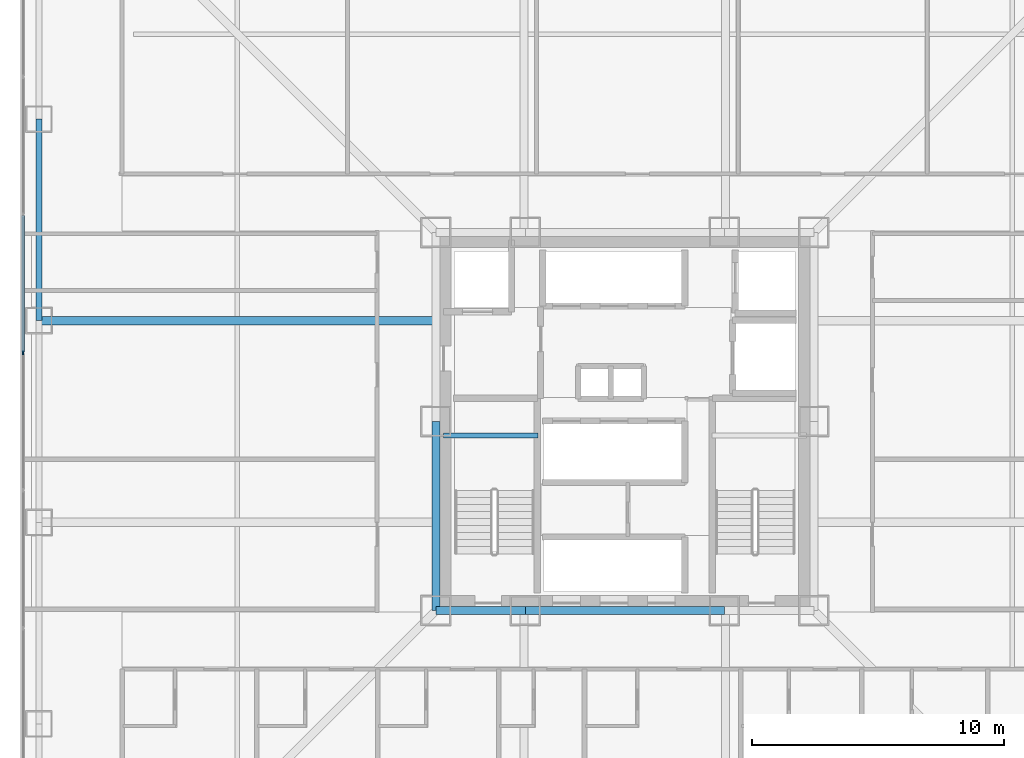
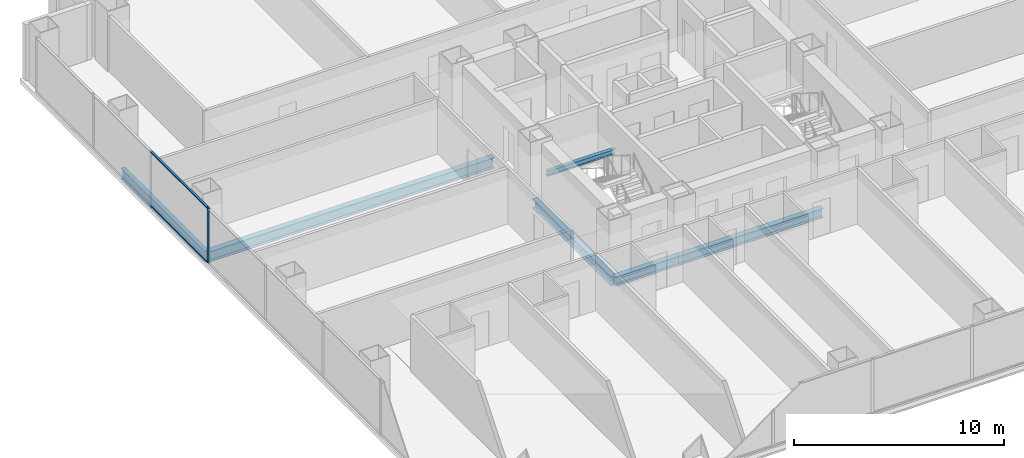
# One storey, part 6 of 20: 6 beams, 3 members, 1 element without a shape of its own.
"""IFC4 building model written with IfcOpenShell, lengths in metres."""

import ifcopenshell
import ifcopenshell.guid

model = None  # the IFC model being written
_history = None  # IfcOwnerHistory: only IFC2X3 demands one
_inside = {}  # id of a spatial element -> (the spatial element, [elements in it])
_under = {}  # id of a project, library or spatial element -> (it, [spatial elements below it])
_declared = {}  # id of a project -> (the project, [libraries it declares])
_typed = {}  # id of a type object -> (the type object, [elements of that type])
_made_of = {}  # id of a material, layer set ... -> (it, [elements and type objects made of it])


def new_model(schema):
    """Start an empty IFC model of exactly this schema.

    Asked for "IFC4X3", IfcOpenShell would pick the latest addendum, in which some entities
    have other attributes; the version numbers below select the first issue.
    IFC2X3 requires an IfcOwnerHistory on every rooted entity: one is made here for all.
    """
    global model, _history
    if schema == "IFC4X3":
        model = ifcopenshell.file(schema_version=(4, 3, 0, 0))
    else:
        model = ifcopenshell.file(schema=schema)
    _inside.clear()
    _under.clear()
    _declared.clear()
    _typed.clear()
    _made_of.clear()
    _history = None
    if model.schema == "IFC2X3":
        org = make("IfcOrganization", Name="unknown")
        user = make(
            "IfcPersonAndOrganization",
            ThePerson=make("IfcPerson", FamilyName="unknown"),
            TheOrganization=org,
        )
        app = make(
            "IfcApplication",
            ApplicationDeveloper=org,
            Version="unknown",
            ApplicationFullName="unknown",
            ApplicationIdentifier="unknown",
        )
        _history = make(
            "IfcOwnerHistory",
            OwningUser=user,
            OwningApplication=app,
            ChangeAction="ADDED",
            CreationDate=0,
        )
    return model


def make(cls, **values):
    """One entity of the class cls with the attributes given. An attribute that is None is left unset."""
    return model.create_entity(
        cls, **{name: value for name, value in values.items() if value is not None}
    )


def rooted(cls, **values):
    """An entity with a GlobalId (a new one), such as an element, a storey or a relation."""
    return make(cls, GlobalId=ifcopenshell.guid.new(), OwnerHistory=_history, **values)


def si_unit(unit_type, name, prefix=None):
    """IfcSIUnit, for example si_unit("LENGTHUNIT", "METRE", prefix="MILLI")."""
    return make("IfcSIUnit", UnitType=unit_type, Prefix=prefix, Name=name)


def assignment(units):
    """IfcUnitAssignment: the units of a project."""
    return None if units is None else make("IfcUnitAssignment", Units=units)


def point(xyz):
    """IfcCartesianPoint."""
    return None if xyz is None else make("IfcCartesianPoint", Coordinates=xyz)


def direction(xyz):
    """IfcDirection."""
    return None if xyz is None else make("IfcDirection", DirectionRatios=xyz)


def frame(location, z_axis=None, x_axis=None):
    """IfcAxis2Placement3D, a coordinate frame: its origin and axes. An axis left out is left unset."""
    return make(
        "IfcAxis2Placement3D",
        Location=point(location),
        Axis=direction(z_axis),
        RefDirection=direction(x_axis),
    )


def frame_2d(location, x_axis=None):
    """IfcAxis2Placement2D, a coordinate frame in the plane: its origin and x axis."""
    return make(
        "IfcAxis2Placement2D", Location=point(location), RefDirection=direction(x_axis)
    )


def origin():
    """The frame at (0, 0, 0) with its axes left unset."""
    return frame((0.0, 0.0, 0.0))


def origin_2d():
    """The frame at (0, 0) in the plane with its x axis left unset."""
    return frame_2d((0.0, 0.0))


def place(relative_to, where):
    """IfcLocalPlacement: puts the frame where relative to a parent placement (None: the world)."""
    return make(
        "IfcLocalPlacement", PlacementRelTo=relative_to, RelativePlacement=where
    )


def context(
    kind, dimensions, precision=None, world=None, true_north=None, identifier=None
):
    """IfcGeometricRepresentationContext, for example the 3D "Model" context."""
    return make(
        "IfcGeometricRepresentationContext",
        ContextIdentifier=identifier,
        ContextType=kind,
        CoordinateSpaceDimension=dimensions,
        Precision=precision,
        WorldCoordinateSystem=world,
        TrueNorth=true_north,
    )


def subcontext(parent, identifier, kind, view, scale=None):
    """IfcGeometricRepresentationSubContext, for example "Body" below "Model"."""
    return make(
        "IfcGeometricRepresentationSubContext",
        ContextIdentifier=identifier,
        ContextType=kind,
        ParentContext=parent,
        TargetScale=scale,
        TargetView=view,
    )


def project(units=None, contexts=None):
    """IfcProject with its units and contexts."""
    return rooted(
        "IfcProject",
        Name="project",
        RepresentationContexts=contexts,
        UnitsInContext=assignment(units),
    )


def spatial(cls, under=None, at=None, **own):
    """A site, building, storey or space (cls), placed at a placement, below another one or the project."""
    s = rooted(cls, ObjectPlacement=at, **own)
    if under is not None:
        _under.setdefault(under.id(), (under, []))[1].append(s)
    return s


def profile(cls, at=None, kind="AREA", **sizes):
    """A parametric profile (cls). Its sizes go by their IFC names, for example OverallWidth=200.0."""
    return make(cls, ProfileType=kind, Position=at, **sizes)


def rectangle(**sizes):
    """IfcRectangleProfileDef."""
    return profile("IfcRectangleProfileDef", **sizes)


def i_section(**sizes):
    """IfcIShapeProfileDef."""
    return profile("IfcIShapeProfileDef", **sizes)


def extrude(swept, where, along, depth):
    """IfcExtrudedAreaSolid: the profile swept, set in the frame where, extruded along a direction by depth."""
    return make(
        "IfcExtrudedAreaSolid",
        SweptArea=swept,
        Position=where,
        ExtrudedDirection=direction(along),
        Depth=depth,
    )


def shape(context_of_items, identifier, shape_type, items):
    """IfcShapeRepresentation: the items that make up one representation, for example the "Body"."""
    return make(
        "IfcShapeRepresentation",
        ContextOfItems=context_of_items,
        RepresentationIdentifier=identifier,
        RepresentationType=shape_type,
        Items=items,
    )


def material(Name=None, Category=None):
    """IfcMaterial."""
    return make("IfcMaterial", Name=Name, Category=Category)


def layer(
    of_material, thickness, ventilated=None, Name=None, Category=None, Priority=None
):
    """IfcMaterialLayer: one layer of a wall or slab, of a material (None: an air gap)."""
    return make(
        "IfcMaterialLayer",
        Material=of_material,
        LayerThickness=thickness,
        IsVentilated=ventilated,
        Name=Name,
        Category=Category,
        Priority=Priority,
    )


def layer_set(layers, Name=None):
    """IfcMaterialLayerSet."""
    return make("IfcMaterialLayerSet", MaterialLayers=layers, LayerSetName=Name)


def material_profile(
    of_material, cross_section, Name=None, Category=None, Priority=None
):
    """IfcMaterialProfile: a cross section and its material."""
    return make(
        "IfcMaterialProfile",
        Name=Name,
        Material=of_material,
        Profile=cross_section,
        Priority=Priority,
        Category=Category,
    )


def profile_set(profiles, Name=None, composite=None):
    """IfcMaterialProfileSet."""
    return make(
        "IfcMaterialProfileSet",
        Name=Name,
        MaterialProfiles=profiles,
        CompositeProfile=composite,
    )


def made_of(thing, what):
    """Note that an element or type object is made of a material, layer set ...; save() writes the relation."""
    if what is not None:
        _made_of.setdefault(what.id(), (what, []))[1].append(thing)
    return thing


def type_object(cls, material=None, **own):
    """A type object (cls), such as IfcWallType, which elements share."""
    return made_of(rooted(cls, **own), material)


def element(
    cls,
    number,
    at=None,
    inside=None,
    cuts=None,
    type_object=None,
    material=None,
    context=None,
    identifier="Body",
    shape_type=None,
    held_by="IfcProductDefinitionShape",
    body=None,
    shapes=None,
    **own,
):
    """One element of the class cls, such as IfcWall. Its Tag is "e" and its number.

    at: its placement. inside: the storey or other place that contains it. cuts: it is an
    opening in that element (IfcRelVoidsElement). A single representation is given by context,
    identifier, shape_type and body (its items); several are given by shapes. held_by: the class
    of the entity that holds the representations. save() writes the other relations.
    """
    e = rooted(cls, Tag="e%d" % number, ObjectPlacement=at, **own)
    if body is not None:
        shapes = [shape(context, identifier, shape_type, body)]
    if shapes is not None:
        e.Representation = make(held_by, Representations=shapes)
    if inside is not None:
        _inside.setdefault(inside.id(), (inside, []))[1].append(e)
    if cuts is not None:
        rooted(
            "IfcRelVoidsElement", RelatingBuildingElement=cuts, RelatedOpeningElement=e
        )
    if type_object is not None:
        _typed.setdefault(type_object.id(), (type_object, []))[1].append(e)
    return made_of(e, material)


def aggregate(whole, parts):
    """IfcRelAggregates: a whole, such as a stair, and the parts it consists of."""
    return rooted("IfcRelAggregates", RelatingObject=whole, RelatedObjects=parts)


def save(model, path):
    """Write the relations noted so far, then the file.

    IfcRelAggregates (storeys below a building ...), IfcRelContainedInSpatialStructure (elements
    in a storey), IfcRelDefinesByType, IfcRelAssociatesMaterial and IfcRelDeclares: one each for
    every whole, place, type object, material and project.
    """
    for whole, parts in _under.values():
        aggregate(whole, parts)
    for where, things in _inside.values():
        rooted(
            "IfcRelContainedInSpatialStructure",
            RelatedElements=things,
            RelatingStructure=where,
        )
    for kind, things in _typed.values():
        rooted("IfcRelDefinesByType", RelatedObjects=things, RelatingType=kind)
    for what, things in _made_of.values():
        rooted("IfcRelAssociatesMaterial", RelatedObjects=things, RelatingMaterial=what)
    for by, libraries in _declared.values():
        rooted("IfcRelDeclares", RelatingContext=by, RelatedDefinitions=libraries)
    model.write(path)


model = new_model("IFC4")

# Units and contexts
model_context = context("Model", 3, precision=1e-05, world=origin(), true_north=direction((0.0, 1.0)))
body_context = subcontext(model_context, "Body", "Model", "MODEL_VIEW")
ifc_project = project(units=[si_unit("LENGTHUNIT", "METRE"), si_unit("AREAUNIT", "SQUARE_METRE"), si_unit("VOLUMEUNIT", "CUBIC_METRE"), si_unit("PLANEANGLEUNIT", "RADIAN"), si_unit("MASSUNIT", "GRAM", prefix="KILO")], contexts=[model_context])

# Site, building, storey
site_placement = place(None, origin())
site = spatial("IfcSite", under=ifc_project, at=site_placement, CompositionType="ELEMENT")
building_placement = place(site_placement, origin())
building = spatial("IfcBuilding", under=site, at=building_placement, Name="Trevonay Congress Spire", CompositionType="ELEMENT")
storey_placement = place(building_placement, frame((0.0, 0.0, 62.0)))
storey = spatial("IfcBuildingStorey", under=building, at=storey_placement, Name="L15", CompositionType="ELEMENT", Elevation=62.0)

# Beams
ifc_material_1 = material(Name="Steel ASTM A572 Grade 50", Category="steel")
ifc_material_profile_1 = material_profile(ifc_material_1, i_section(OverallWidth=0.31201171875, OverallDepth=0.54296875, WebThickness=0.0126953125, FlangeThickness=0.020263671875, FilletRadius=0.014892578125, at=origin_2d()), Name="W530x150")
ifc_profile_set_1 = profile_set([ifc_material_profile_1], Name="Steel ASTM A572 Grade 50")
beam_type_1 = type_object("IfcBeamType", Name="BM-GIRD-W530X150", PredefinedType="BEAM", material=ifc_profile_set_1)
beam_1_placement = place(storey_placement, frame((-7.5, -7.5, -0.521484375), z_axis=(1.0, 0.0, 0.0), x_axis=(0.0, 1.0, 0.0)))
element("IfcBeam", 1, at=beam_1_placement, inside=storey, type_object=beam_type_1, Name="L15 structural beam BM-L15-CR-S1", PredefinedType="BEAM", context=body_context, shape_type="SweptSolid", body=[
    extrude(i_section(OverallWidth=0.31201171875, OverallDepth=0.54296875, WebThickness=0.0126953125, FlangeThickness=0.020263671875, FilletRadius=0.014892578125, at=origin_2d()), origin(), (0.0, 0.0, 1.0), 3.550048828125),
])
beam_2_placement = place(storey_placement, frame((-3.949951171875, -7.5, -0.521484375), z_axis=(1.0, 0.0, 0.0), x_axis=(0.0, 1.0, 0.0)))
element("IfcBeam", 2, at=beam_2_placement, inside=storey, type_object=beam_type_1, Name="L15 structural beam BM-L15-CR-S2", PredefinedType="BEAM", context=body_context, shape_type="SweptSolid", body=[
    extrude(i_section(OverallWidth=0.31201171875, OverallDepth=0.54296875, WebThickness=0.0126953125, FlangeThickness=0.020263671875, FilletRadius=0.014892578125, at=origin_2d()), origin(), (0.0, 0.0, 1.0), 7.89990234375),
])
beam_3_placement = place(storey_placement, frame((-7.5, -7.5, -0.521484375), z_axis=(0.0, 1.0, 0.0), x_axis=(-1.0, 0.0, 0.0)))
element("IfcBeam", 3, at=beam_3_placement, inside=storey, type_object=beam_type_1, Name="L15 structural beam BM-L15-CR-W1", PredefinedType="BEAM", context=body_context, shape_type="SweptSolid", body=[
    extrude(i_section(OverallWidth=0.31201171875, OverallDepth=0.54296875, WebThickness=0.0126953125, FlangeThickness=0.020263671875, FilletRadius=0.014892578125, at=origin_2d()), origin(), (0.0, 0.0, 1.0), 7.5),
])
ifc_material_profile_2 = material_profile(ifc_material_1, i_section(OverallWidth=0.324951171875, OverallDepth=0.615966796875, WebThickness=0.013916015625, FlangeThickness=0.021484375, FilletRadius=0.01806640625, at=origin_2d()), Name="W610x174")
ifc_profile_set_2 = profile_set([ifc_material_profile_2], Name="Steel ASTM A572 Grade 50")
beam_type_2 = type_object("IfcBeamType", Name="BM-GIRD-W610X174", PredefinedType="BEAM", material=ifc_profile_set_2)
beam_4_placement = place(storey_placement, frame((-7.5, 4.0, -0.55810546875), z_axis=(-1.0, 0.0, 0.0), x_axis=(0.0, -1.0, 0.0)))
element("IfcBeam", 4, at=beam_4_placement, inside=storey, type_object=beam_type_2, Name="L15 structural beam BM-L15-GW-P", PredefinedType="BEAM", context=body_context, shape_type="SweptSolid", body=[
    extrude(i_section(OverallWidth=0.324951171875, OverallDepth=0.615966796875, WebThickness=0.013916015625, FlangeThickness=0.021484375, FilletRadius=0.01806640625, at=origin_2d()), origin(), (0.0, 0.0, 1.0), 15.75),
])
ifc_material_profile_3 = material_profile(ifc_material_1, i_section(OverallWidth=0.22998046875, OverallDepth=0.616943359375, WebThickness=0.01318359375, FlangeThickness=0.022216796875, FilletRadius=0.01611328125, at=origin_2d()), Name="W610x140")
ifc_profile_set_3 = profile_set([ifc_material_profile_3], Name="Steel ASTM A572 Grade 50")
beam_type_3 = type_object("IfcBeamType", Name="BM-RING-W610X140", PredefinedType="BEAM", material=ifc_profile_set_3)
beam_5_placement = place(storey_placement, frame((-23.25, 4.0, -0.55859375), z_axis=(0.0, 1.0, 0.0), x_axis=(-1.0, 0.0, 0.0)))
element("IfcBeam", 5, at=beam_5_placement, inside=storey, type_object=beam_type_3, Name="L15 structural beam BM-L15-PW4", PredefinedType="BEAM", context=body_context, shape_type="SweptSolid", body=[
    extrude(i_section(OverallWidth=0.22998046875, OverallDepth=0.616943359375, WebThickness=0.01318359375, FlangeThickness=0.022216796875, FilletRadius=0.01611328125, at=origin_2d()), origin(), (0.0, 0.0, 1.0), 8.0),
])

# Curtain wall, members
ifc_material_2 = material(Name="Pale Anodised Aluminium EN AW-6063-T6", Category="aluminium")
ifc_layer = layer(ifc_material_2, 0.179931640625, Name="Pale Anodised Aluminium EN AW-6063-T6")
ifc_layer_set = layer_set([ifc_layer], Name="Pale Anodised Aluminium EN AW-6063-T6")
curtain_wall_type = type_object("IfcCurtainWallType", Name="CW-SYS02-HOTEL-PALE-METAL", PredefinedType="NOTDEFINED", material=ifc_layer_set)
curtain_wall_placement = place(storey_placement, origin())
curtain_wall = element("IfcCurtainWall", 6, at=curtain_wall_placement, inside=storey, type_object=curtain_wall_type, Name="L15 W unitised curtain wall", PredefinedType="NOTDEFINED")
ifc_material_profile_4 = material_profile(ifc_material_2, rectangle(XDim=0.06005859375, YDim=0.159912109375, at=origin_2d()), Name="CW-MULLION-160-ALUMINIUM")
ifc_profile_set_4 = profile_set([ifc_material_profile_4], Name="Pale Anodised Aluminium EN AW-6063-T6")
member_type_1 = type_object("IfcMemberType", Name="CW-MULLION-160-ALUMINIUM", PredefinedType="MULLION", material=ifc_profile_set_4)
member_1_placement = place(storey_placement, frame((-23.8798828125, 2.735595703125, 0.0), z_axis=(0.0, 0.0, 1.0), x_axis=(-1.0, 0.0, 0.0)))
member_1 = element("IfcMember", 7, at=member_1_placement, type_object=member_type_1, Name="CW02 mullion 5", PredefinedType="MULLION", context=body_context, shape_type="SweptSolid", body=[
    extrude(rectangle(XDim=0.06005859375, YDim=0.159912109375, at=origin_2d()), origin(), (0.0, 0.0, 1.0), 3.25),
])
ifc_material_profile_5 = material_profile(ifc_material_2, rectangle(XDim=0.1201171875, YDim=0.06005859375, at=origin_2d()), Name="CW-TRANSOM-120-ALUMINIUM")
ifc_profile_set_5 = profile_set([ifc_material_profile_5], Name="Pale Anodised Aluminium EN AW-6063-T6")
member_type_2 = type_object("IfcMemberType", Name="CW-TRANSOM-120-ALUMINIUM", PredefinedType="USERDEFINED", material=ifc_profile_set_5)
member_2_placement = place(storey_placement, frame((-23.8798828125, 2.765625, 0.06005859375), z_axis=(0.0, 1.0, 0.0), x_axis=(-1.0, 0.0, 0.0)))
member_2 = element("IfcMember", 8, at=member_2_placement, type_object=member_type_2, Name="CW02 transom 5.1", ObjectType="TRANSOM", PredefinedType="USERDEFINED", context=body_context, shape_type="SweptSolid", body=[
    extrude(rectangle(XDim=0.1201171875, YDim=0.06005859375, at=origin_2d()), origin(), (0.0, 0.0, 1.0), 5.41162109375),
])
member_3_placement = place(storey_placement, frame((-23.8798828125, 2.765625, 3.18994140625), z_axis=(0.0, 1.0, 0.0), x_axis=(-1.0, 0.0, 0.0)))
member_3 = element("IfcMember", 9, at=member_3_placement, type_object=member_type_2, Name="CW02 transom 5.2", ObjectType="TRANSOM", PredefinedType="USERDEFINED", context=body_context, shape_type="SweptSolid", body=[
    extrude(rectangle(XDim=0.1201171875, YDim=0.06005859375, at=origin_2d()), origin(), (0.0, 0.0, 1.0), 5.41162109375),
])
aggregate(curtain_wall, [member_1, member_2, member_3])

# Beam
ifc_material_profile_6 = material_profile(ifc_material_1, i_section(OverallWidth=0.2041015625, OverallDepth=0.305908203125, WebThickness=0.008544921875, FlangeThickness=0.0146484375, FilletRadius=0.010986328125, at=origin_2d()), Name="W310x67")
ifc_profile_set_6 = profile_set([ifc_material_profile_6], Name="Steel ASTM A572 Grade 50")
beam_type_4 = type_object("IfcBeamType", Name="LN-CORE-W310X67", PredefinedType="LINTEL", material=ifc_profile_set_6)
beam_6_placement = place(storey_placement, frame((-7.199951171875, -0.550048828125, 1.39697265625), z_axis=(1.0, 0.0, 0.0), x_axis=(0.0, 1.0, 0.0)))
element("IfcBeam", 10, at=beam_6_placement, inside=storey, type_object=beam_type_4, Name="L15 structural beam BM-L15-HL-ST1", PredefinedType="LINTEL", context=body_context, shape_type="SweptSolid", body=[
    extrude(i_section(OverallWidth=0.2041015625, OverallDepth=0.305908203125, WebThickness=0.008544921875, FlangeThickness=0.0146484375, FilletRadius=0.010986328125, at=origin_2d()), origin(), (0.0, 0.0, 1.0), 3.75),
])

save(model, "model.ifc")
